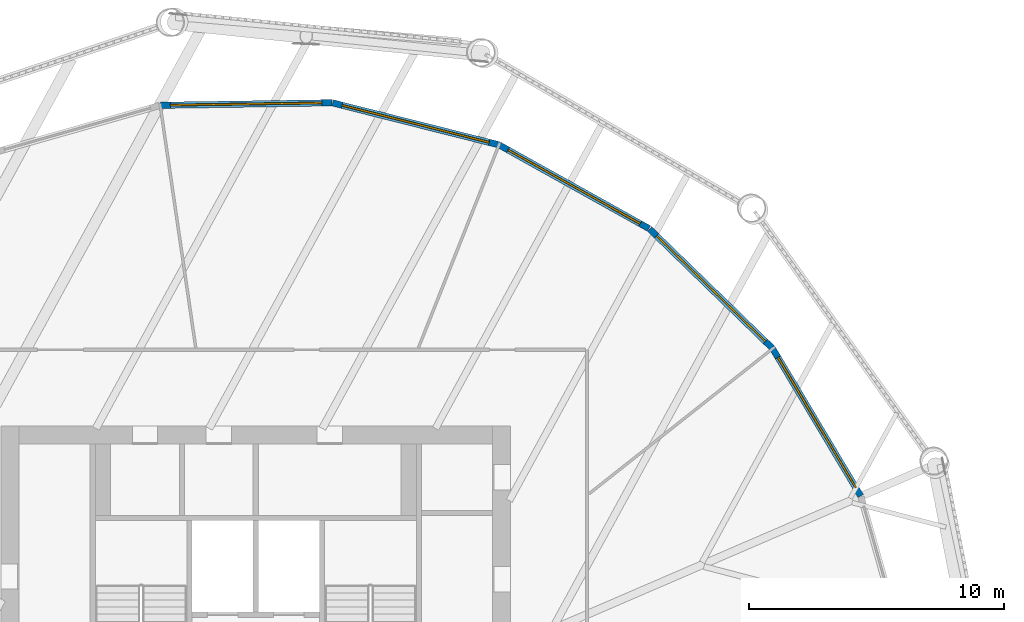
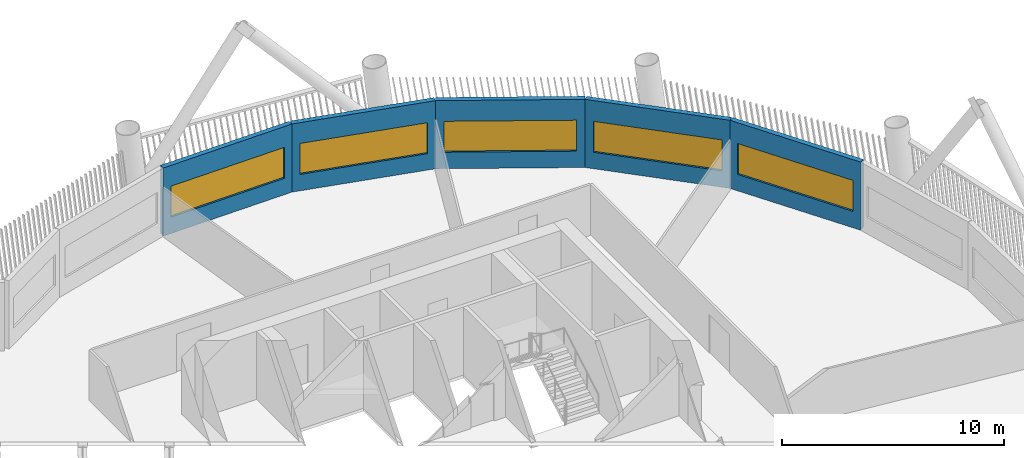
# One storey, part 7 of 24: 5 walls, 5 windows, 5 openings.
"""IFC4 building model written with IfcOpenShell, lengths in metres."""

from ifc_helpers import new_model, si_unit, direction, frame, frame_2d, origin, place, context, subcontext, project, spatial, rectangle, extrude, material, layer, layer_set, type_object, element, fill, save


model = new_model("IFC4")

# Units and contexts
model_context = context("Model", 3, precision=1e-05, world=origin(), true_north=direction((0.0, 1.0)))
body_context = subcontext(model_context, "Body", "Model", "MODEL_VIEW")
ifc_project = project(units=[si_unit("LENGTHUNIT", "METRE"), si_unit("AREAUNIT", "SQUARE_METRE"), si_unit("VOLUMEUNIT", "CUBIC_METRE"), si_unit("PLANEANGLEUNIT", "RADIAN"), si_unit("MASSUNIT", "GRAM", prefix="KILO")], contexts=[model_context])

# Site, building, storey
site_placement = place(None, origin())
site = spatial("IfcSite", under=ifc_project, at=site_placement, CompositionType="ELEMENT")
building_placement = place(site_placement, origin())
building = spatial("IfcBuilding", under=site, at=building_placement, Name="Tarsis Ring Headquarters", CompositionType="ELEMENT")
storey_placement = place(building_placement, frame((0.0, 0.0, 163.199951171875)))
storey = spatial("IfcBuildingStorey", under=building, at=storey_placement, Name="L37", CompositionType="ELEMENT", Elevation=163.199951171875)

# Wall, opening, window
ifc_material_1 = material(Name="Terracotta clad insulated panel wall", Category="masonry")
ifc_layer = layer(ifc_material_1, 0.25)
ifc_layer_set = layer_set([ifc_layer], Name="Facade wall terracotta panel 250")
wall_type = type_object("IfcWallType", Name="Facade wall terracotta panel 250", PredefinedType="STANDARD", material=ifc_layer_set)
wall_1_placement = place(storey_placement, frame((23.748291015625, 10.26513671875, 0.0), z_axis=(0.0, 0.0, 1.0), x_axis=(-0.512657078288, 0.858593454483, 0.0)))
wall_1 = element("IfcWall", 1, at=wall_1_placement, inside=storey, type_object=wall_type, Name="External wall L37-24", PredefinedType="STANDARD", context=body_context, shape_type="SweptSolid", body=[
    extrude(rectangle(XDim=6.721435546875, YDim=0.25, at=frame_2d((3.36083984375, 0.0))), origin(), (0.0, 0.0, 1.0), 3.739990234375),
])
opening_1_placement = place(wall_1_placement, frame((0.3857421875, 0.0, 0.89990234375)))
opening_1 = element("IfcOpeningElement", 2, at=opening_1_placement, cuts=wall_1, Name="Opening WN07", PredefinedType="OPENING", context=body_context, shape_type="SweptSolid", body=[
    extrude(rectangle(XDim=5.949951171875, YDim=1.699951171875, at=frame_2d((2.97509765625, 0.85009765625))), frame((0.0, 0.135009765625, 0.0), z_axis=(0.0, -1.0, 0.0), x_axis=(1.0, 0.0, 0.0)), (0.0, 0.0, 1.0), 0.27001953125),
])
ifc_material_2 = material(Name="Aluminium framed double glazing", Category="aluminium")
window_type = type_object("IfcWindowType", Name="Facade window 5950 x 1700", PartitioningType="SINGLE_PANEL", PredefinedType="WINDOW", material=ifc_material_2)
window_1_placement = place(opening_1_placement, origin())
window_1 = element("IfcWindow", 3, at=window_1_placement, inside=storey, type_object=window_type, Name="Window L37-24.1", OverallHeight=1.699951171875, OverallWidth=5.949951171875, PartitioningType="SINGLE_PANEL", PredefinedType="WINDOW", context=body_context, shape_type="SweptSolid", body=[
    extrude(rectangle(XDim=5.949951171875, YDim=1.699951171875, at=frame_2d((2.97509765625, 0.85009765625))), frame((0.0, 0.030029296875, 0.0), z_axis=(0.0, -1.0, 0.0), x_axis=(1.0, 0.0, 0.0)), (0.0, 0.0, 1.0), 0.06005859375),
])
fill(opening_1, window_1)

wall_2_placement = place(storey_placement, frame((20.2822265625, 16.061767578125, 0.0), z_axis=(0.0, 0.0, 1.0), x_axis=(-0.717400739072, 0.69666073492, 0.0)))
wall_2 = element("IfcWall", 4, at=wall_2_placement, inside=storey, type_object=wall_type, Name="External wall L37-25", PredefinedType="STANDARD", context=body_context, shape_type="SweptSolid", body=[
    extrude(rectangle(XDim=6.721435546875, YDim=0.25, at=frame_2d((3.36083984375, 0.0))), origin(), (0.0, 0.0, 1.0), 3.739990234375),
])
opening_2_placement = place(wall_2_placement, frame((0.3857421875, 0.0, 0.89990234375)))
opening_2 = element("IfcOpeningElement", 5, at=opening_2_placement, cuts=wall_2, Name="Opening WN07", PredefinedType="OPENING", context=body_context, shape_type="SweptSolid", body=[
    extrude(rectangle(XDim=5.949951171875, YDim=1.699951171875, at=frame_2d((2.97509765625, 0.85009765625))), frame((0.0, 0.135009765625, 0.0), z_axis=(0.0, -1.0, 0.0), x_axis=(1.0, 0.0, 0.0)), (0.0, 0.0, 1.0), 0.27001953125),
])
window_2_placement = place(opening_2_placement, origin())
window_2 = element("IfcWindow", 6, at=window_2_placement, inside=storey, type_object=window_type, Name="Window L37-25.1", OverallHeight=1.699951171875, OverallWidth=5.949951171875, PartitioningType="SINGLE_PANEL", PredefinedType="WINDOW", context=body_context, shape_type="SweptSolid", body=[
    extrude(rectangle(XDim=5.949951171875, YDim=1.699951171875, at=frame_2d((2.97509765625, 0.85009765625))), frame((0.0, 0.030029296875, 0.0), z_axis=(0.0, -1.0, 0.0), x_axis=(1.0, 0.0, 0.0)), (0.0, 0.0, 1.0), 0.06005859375),
])
fill(opening_2, window_2)

wall_3_placement = place(storey_placement, frame((15.43408203125, 20.763916015625, 0.0), z_axis=(0.0, 0.0, 1.0), x_axis=(-0.87325629039, 0.487261173596, 0.0)))
wall_3 = element("IfcWall", 7, at=wall_3_placement, inside=storey, type_object=wall_type, Name="External wall L37-26", PredefinedType="STANDARD", context=body_context, shape_type="SweptSolid", body=[
    extrude(rectangle(XDim=6.721435546875, YDim=0.25, at=frame_2d((3.36083984375, 0.0))), origin(), (0.0, 0.0, 1.0), 3.739990234375),
])
opening_3_placement = place(wall_3_placement, frame((0.3857421875, 0.0, 0.89990234375)))
opening_3 = element("IfcOpeningElement", 8, at=opening_3_placement, cuts=wall_3, Name="Opening WN07", PredefinedType="OPENING", context=body_context, shape_type="SweptSolid", body=[
    extrude(rectangle(XDim=5.949951171875, YDim=1.699951171875, at=frame_2d((2.97509765625, 0.85009765625))), frame((0.0, 0.135009765625, 0.0), z_axis=(0.0, -1.0, 0.0), x_axis=(1.0, 0.0, 0.0)), (0.0, 0.0, 1.0), 0.27001953125),
])
window_3_placement = place(opening_3_placement, origin())
window_3 = element("IfcWindow", 9, at=window_3_placement, inside=storey, type_object=window_type, Name="Window L37-26.1", OverallHeight=1.699951171875, OverallWidth=5.949951171875, PartitioningType="SINGLE_PANEL", PredefinedType="WINDOW", context=body_context, shape_type="SweptSolid", body=[
    extrude(rectangle(XDim=5.949951171875, YDim=1.699951171875, at=frame_2d((2.97509765625, 0.85009765625))), frame((0.0, 0.030029296875, 0.0), z_axis=(0.0, -1.0, 0.0), x_axis=(1.0, 0.0, 0.0)), (0.0, 0.0, 1.0), 0.06005859375),
])
fill(opening_3, window_3)

wall_4_placement = place(storey_placement, frame((9.533935546875, 24.051025390625, 0.0), z_axis=(0.0, 0.0, 1.0), x_axis=(-0.96961460216, 0.244637534485, 0.0)))
wall_4 = element("IfcWall", 10, at=wall_4_placement, inside=storey, type_object=wall_type, Name="External wall L37-27", PredefinedType="STANDARD", context=body_context, shape_type="SweptSolid", body=[
    extrude(rectangle(XDim=6.721435546875, YDim=0.25, at=frame_2d((3.36083984375, 0.0))), origin(), (0.0, 0.0, 1.0), 3.739990234375),
])
opening_4_placement = place(wall_4_placement, frame((0.3857421875, 0.0, 0.89990234375)))
opening_4 = element("IfcOpeningElement", 11, at=opening_4_placement, cuts=wall_4, Name="Opening WN07", PredefinedType="OPENING", context=body_context, shape_type="SweptSolid", body=[
    extrude(rectangle(XDim=5.949951171875, YDim=1.699951171875, at=frame_2d((2.97509765625, 0.85009765625))), frame((0.0, 0.135009765625, 0.0), z_axis=(0.0, -1.0, 0.0), x_axis=(1.0, 0.0, 0.0)), (0.0, 0.0, 1.0), 0.27001953125),
])
window_4_placement = place(opening_4_placement, origin())
window_4 = element("IfcWindow", 12, at=window_4_placement, inside=storey, type_object=window_type, Name="Window L37-27.1", OverallHeight=1.699951171875, OverallWidth=5.949951171875, PartitioningType="SINGLE_PANEL", PredefinedType="WINDOW", context=body_context, shape_type="SweptSolid", body=[
    extrude(rectangle(XDim=5.949951171875, YDim=1.699951171875, at=frame_2d((2.97509765625, 0.85009765625))), frame((0.0, 0.030029296875, 0.0), z_axis=(0.0, -1.0, 0.0), x_axis=(1.0, 0.0, 0.0)), (0.0, 0.0, 1.0), 0.06005859375),
])
fill(opening_4, window_4)

wall_5_placement = place(storey_placement, frame((2.984375, 25.698974609375, 0.0), z_axis=(0.0, 0.0, 1.0), x_axis=(-0.99989286548, -0.014637539496, 0.0)))
wall_5 = element("IfcWall", 13, at=wall_5_placement, inside=storey, type_object=wall_type, Name="External wall L37-28", PredefinedType="STANDARD", context=body_context, shape_type="SweptSolid", body=[
    extrude(rectangle(XDim=6.7216796875, YDim=0.25, at=frame_2d((3.36083984375, 0.0))), origin(), (0.0, 0.0, 1.0), 3.739990234375),
])
opening_5_placement = place(wall_5_placement, frame((0.3857421875, 0.0, 0.89990234375)))
opening_5 = element("IfcOpeningElement", 14, at=opening_5_placement, cuts=wall_5, Name="Opening WN07", PredefinedType="OPENING", context=body_context, shape_type="SweptSolid", body=[
    extrude(rectangle(XDim=5.949951171875, YDim=1.699951171875, at=frame_2d((2.97509765625, 0.85009765625))), frame((0.0, 0.135009765625, 0.0), z_axis=(0.0, -1.0, 0.0), x_axis=(1.0, 0.0, 0.0)), (0.0, 0.0, 1.0), 0.27001953125),
])
window_5_placement = place(opening_5_placement, origin())
window_5 = element("IfcWindow", 15, at=window_5_placement, inside=storey, type_object=window_type, Name="Window L37-28.1", OverallHeight=1.699951171875, OverallWidth=5.949951171875, PartitioningType="SINGLE_PANEL", PredefinedType="WINDOW", context=body_context, shape_type="SweptSolid", body=[
    extrude(rectangle(XDim=5.949951171875, YDim=1.699951171875, at=frame_2d((2.97509765625, 0.85009765625))), frame((0.0, 0.030029296875, 0.0), z_axis=(0.0, -1.0, 0.0), x_axis=(1.0, 0.0, 0.0)), (0.0, 0.0, 1.0), 0.06005859375),
])
fill(opening_5, window_5)

save(model, "model.ifc")
